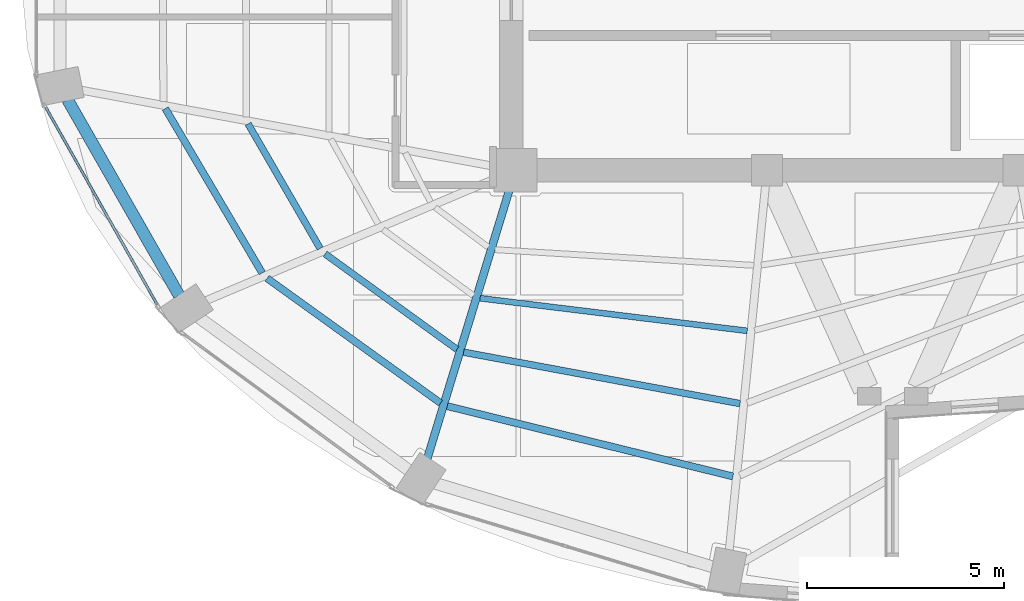
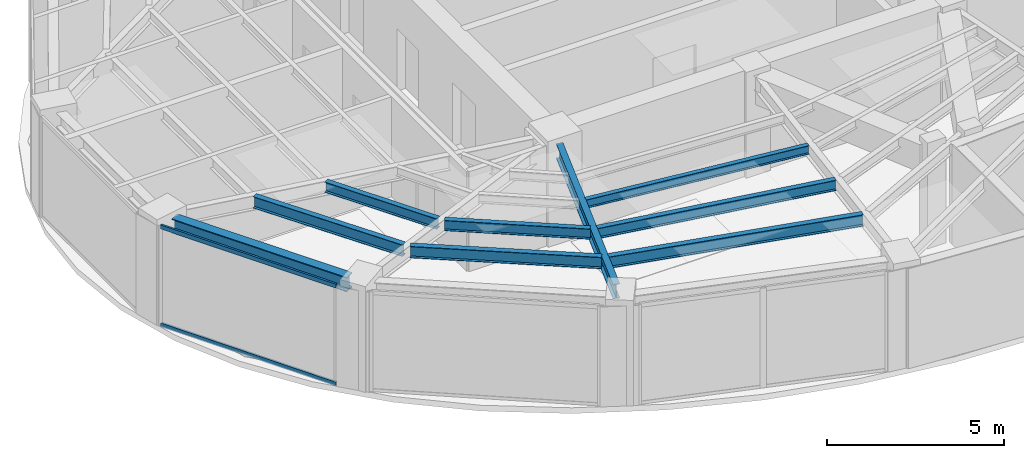
# One storey, part 3 of 23: 9 beams, 2 members, 1 element without a shape of its own.
"""IFC4 building model written with IfcOpenShell, lengths in metres."""

from ifc_helpers import new_model, si_unit, direction, frame, origin, origin_2d, place, context, subcontext, project, spatial, hollow_rectangle, i_section, extrude, material, layer, layer_set, material_profile, profile_set, type_object, element, aggregate, save


model = new_model("IFC4")

# Units and contexts
model_context = context("Model", 3, precision=1e-05, world=origin(), true_north=direction((0.0, 1.0)))
body_context = subcontext(model_context, "Body", "Model", "MODEL_VIEW")
ifc_project = project(units=[si_unit("LENGTHUNIT", "METRE"), si_unit("AREAUNIT", "SQUARE_METRE"), si_unit("VOLUMEUNIT", "CUBIC_METRE"), si_unit("PLANEANGLEUNIT", "RADIAN"), si_unit("MASSUNIT", "GRAM", prefix="KILO")], contexts=[model_context])

# Site, building, storey
site_placement = place(None, origin())
site = spatial("IfcSite", under=ifc_project, at=site_placement, CompositionType="ELEMENT")
building_placement = place(site_placement, origin())
building = spatial("IfcBuilding", under=site, at=building_placement, Name="Lazwardi Medical Tower", CompositionType="ELEMENT")
storey_placement = place(building_placement, frame((0.0, 0.0, 202.1279296875)))
storey = spatial("IfcBuildingStorey", under=building, at=storey_placement, Name="L52", CompositionType="ELEMENT", Elevation=202.1279296875)

# Beams
ifc_material_1 = material(Name="Steel S355", Category="steel")
ifc_material_profile_1 = material_profile(ifc_material_1, i_section(OverallWidth=0.300048828125, OverallDepth=0.5, WebThickness=0.014404296875, FlangeThickness=0.028076171875, at=origin_2d()), Name="HEB 500")
ifc_profile_set_1 = profile_set([ifc_material_profile_1], Name="Steel S355")
beam_type_1 = type_object("IfcBeamType", Name="BM-RB-Z4", PredefinedType="BEAM", material=ifc_profile_set_1)
beam_1_placement = place(storey_placement, frame((15.008056640625, 22.1982421875, 3.197998046875), z_axis=(0.495125273299, -0.868821594886, 0.0), x_axis=(0.868821594886, 0.495125273299, 0.0)))
element("IfcBeam", 1, at=beam_1_placement, inside=storey, type_object=beam_type_1, Name="Ring beam RB-05 B13 L52", PredefinedType="BEAM", context=body_context, shape_type="SweptSolid", body=[
    extrude(i_section(OverallWidth=0.300048828125, OverallDepth=0.5, WebThickness=0.014404296875, FlangeThickness=0.028076171875, at=origin_2d()), origin(), (0.0, 0.0, 1.0), 5.734130859375),
])
ifc_material_profile_2 = material_profile(ifc_material_1, i_section(OverallWidth=0.199951171875, OverallDepth=0.5, WebThickness=0.01025390625, FlangeThickness=0.01611328125, at=origin_2d()), Name="IPE 500")
ifc_profile_set_2 = profile_set([ifc_material_profile_2], Name="Steel S355")
beam_type_2 = type_object("IfcBeamType", Name="BM-RG-W3", PredefinedType="BEAM", material=ifc_profile_set_2)
beam_2_placement = place(storey_placement, frame((24.156005859375, 13.0576171875, 3.197998046875), z_axis=(0.292276716539, 0.956333791607, 0.0), x_axis=(-0.956333791607, 0.292276716539, 0.0)))
element("IfcBeam", 2, at=beam_2_placement, inside=storey, type_object=beam_type_2, Name="Radial girder RG-04 R15 L52", PredefinedType="BEAM", context=body_context, shape_type="SweptSolid", body=[
    extrude(i_section(OverallWidth=0.199951171875, OverallDepth=0.5, WebThickness=0.01025390625, FlangeThickness=0.01611328125, at=origin_2d()), origin(), (0.0, 0.0, 1.0), 7.142822265625),
])
ifc_material_profile_3 = material_profile(ifc_material_1, i_section(OverallWidth=0.179931640625, OverallDepth=0.39990234375, WebThickness=0.008544921875, FlangeThickness=0.013427734375, at=origin_2d()), Name="IPE 400")
ifc_profile_set_3 = profile_set([ifc_material_profile_3], Name="Steel S355")
beam_type_3 = type_object("IfcBeamType", Name="BM-SJ-01", PredefinedType="JOIST", material=ifc_profile_set_3)
beam_3_placement = place(storey_placement, frame((17.495849609375, 21.969482421875, 3.248046875), z_axis=(0.507710311367, -0.861527851977, 0.0), x_axis=(0.861527851977, 0.507710311367, 0.0)))
element("IfcBeam", 3, at=beam_3_placement, inside=storey, type_object=beam_type_3, Name="Secondary joist SJ-01 R1 B13 L52", PredefinedType="JOIST", context=body_context, shape_type="SweptSolid", body=[
    extrude(i_section(OverallWidth=0.179931640625, OverallDepth=0.39990234375, WebThickness=0.008544921875, FlangeThickness=0.013427734375, at=origin_2d()), origin(), (0.0, 0.0, 1.0), 4.852783203125),
])
beam_4_placement = place(storey_placement, frame((20.085205078125, 17.651123046875, 3.248046875), z_axis=(0.811889581337, -0.58381102055, 0.0), x_axis=(0.58381102055, 0.811889581337, 0.0)))
element("IfcBeam", 4, at=beam_4_placement, inside=storey, type_object=beam_type_3, Name="Secondary joist SJ-01 R1 B14 L52", PredefinedType="JOIST", context=body_context, shape_type="SweptSolid", body=[
    extrude(i_section(OverallWidth=0.179931640625, OverallDepth=0.39990234375, WebThickness=0.008544921875, FlangeThickness=0.013427734375, at=origin_2d()), origin(), (0.0, 0.0, 1.0), 5.433349609375),
])
beam_5_placement = place(storey_placement, frame((24.665771484375, 14.40087890625, 3.248046875), z_axis=(0.971041669317, -0.238910184904, 0.0), x_axis=(0.238910184904, 0.971041669317, 0.0)))
element("IfcBeam", 5, at=beam_5_placement, inside=storey, type_object=beam_type_3, Name="Secondary joist SJ-01 R1 B15 L52", PredefinedType="JOIST", context=body_context, shape_type="SweptSolid", body=[
    extrude(i_section(OverallWidth=0.179931640625, OverallDepth=0.39990234375, WebThickness=0.008544921875, FlangeThickness=0.013427734375, at=origin_2d()), origin(), (0.0, 0.0, 1.0), 7.482421875),
])
ifc_material_profile_4 = material_profile(ifc_material_1, i_section(OverallWidth=0.169921875, OverallDepth=0.360107421875, WebThickness=0.008056640625, FlangeThickness=0.0126953125, at=origin_2d()), Name="IPE 360")
ifc_profile_set_4 = profile_set([ifc_material_profile_4], Name="Steel S355")
beam_type_4 = type_object("IfcBeamType", Name="BM-SJ-02", PredefinedType="JOIST", material=ifc_profile_set_4)
beam_6_placement = place(storey_placement, frame((19.601806640625, 21.58056640625, 3.26806640625), z_axis=(0.500655179543, -0.865646805109, 0.0), x_axis=(0.865646805109, 0.500655179543, 0.0)))
element("IfcBeam", 6, at=beam_6_placement, inside=storey, type_object=beam_type_4, Name="Secondary joist SJ-02 R2 B13 L52", PredefinedType="JOIST", context=body_context, shape_type="SweptSolid", body=[
    extrude(i_section(OverallWidth=0.169921875, OverallDepth=0.360107421875, WebThickness=0.008056640625, FlangeThickness=0.0126953125, at=origin_2d()), origin(), (0.0, 0.0, 1.0), 3.662109375),
])
beam_7_placement = place(storey_placement, frame((21.559814453125, 18.2724609375, 3.26806640625), z_axis=(0.810164229155, -0.586202969796, 0.0), x_axis=(0.586202969796, 0.810164229155, 0.0)))
element("IfcBeam", 7, at=beam_7_placement, inside=storey, type_object=beam_type_4, Name="Secondary joist SJ-02 R2 B14 L52", PredefinedType="JOIST", context=body_context, shape_type="SweptSolid", body=[
    extrude(i_section(OverallWidth=0.169921875, OverallDepth=0.360107421875, WebThickness=0.008056640625, FlangeThickness=0.0126953125, at=origin_2d()), origin(), (0.0, 0.0, 1.0), 4.14013671875),
])
beam_8_placement = place(storey_placement, frame((25.08447265625, 15.7724609375, 3.26806640625), z_axis=(0.983132476587, -0.182894870019, 0.0), x_axis=(0.182894870019, 0.983132476587, 0.0)))
element("IfcBeam", 8, at=beam_8_placement, inside=storey, type_object=beam_type_4, Name="Secondary joist SJ-02 R2 B15 L52", PredefinedType="JOIST", context=body_context, shape_type="SweptSolid", body=[
    extrude(i_section(OverallWidth=0.169921875, OverallDepth=0.360107421875, WebThickness=0.008056640625, FlangeThickness=0.0126953125, at=origin_2d()), origin(), (0.0, 0.0, 1.0), 7.15087890625),
])
ifc_material_profile_5 = material_profile(ifc_material_1, i_section(OverallWidth=0.14990234375, OverallDepth=0.300048828125, WebThickness=0.007080078125, FlangeThickness=0.0107421875, at=origin_2d()), Name="IPE 300")
ifc_profile_set_5 = profile_set([ifc_material_profile_5], Name="Steel S355")
beam_type_5 = type_object("IfcBeamType", Name="BM-SJ-03", PredefinedType="JOIST", material=ifc_profile_set_5)
beam_9_placement = place(storey_placement, frame((25.5029296875, 17.14453125, 3.298095703125), z_axis=(0.992634689535, -0.121146081783, 0.0), x_axis=(0.121146081783, 0.992634689535, 0.0)))
element("IfcBeam", 9, at=beam_9_placement, inside=storey, type_object=beam_type_5, Name="Secondary joist SJ-03 R3 B15 L52", PredefinedType="JOIST", context=body_context, shape_type="SweptSolid", body=[
    extrude(i_section(OverallWidth=0.14990234375, OverallDepth=0.300048828125, WebThickness=0.007080078125, FlangeThickness=0.0107421875, at=origin_2d()), origin(), (0.0, 0.0, 1.0), 6.845947265625),
])

# Curtain wall, members
ifc_material_2 = material(Name="Anodised bronze aluminium and solar control glazing", Category="aluminium")
ifc_layer = layer(ifc_material_2, 0.18994140625)
ifc_layer_set = layer_set([ifc_layer], Name="Anodised bronze aluminium and solar control glazing")
curtain_wall_type = type_object("IfcCurtainWallType", Name="CW-SYS-04", PredefinedType="NOTDEFINED", material=ifc_layer_set)
curtain_wall_placement = place(storey_placement, origin())
curtain_wall = element("IfcCurtainWall", 10, at=curtain_wall_placement, inside=storey, type_object=curtain_wall_type, Name="L52 Unitised bronze curtain wall CW-04", PredefinedType="NOTDEFINED")
ifc_material_3 = material(Name="Anodised bronze aluminium", Category="aluminium")
ifc_material_profile_6 = material_profile(ifc_material_3, hollow_rectangle(XDim=0.06494140625, YDim=0.139892578125, WallThickness=0.00341796875, at=origin_2d()), Name="ALU-TRANSOM 140x65x3.5")
ifc_profile_set_6 = profile_set([ifc_material_profile_6], Name="Anodised bronze aluminium")
member_type = type_object("IfcMemberType", Name="CW-TRN-03", PredefinedType="USERDEFINED", material=ifc_profile_set_6)
member_1_placement = place(storey_placement, frame((14.458740234375, 21.993408203125, 0.032470703125), z_axis=(0.491897887635, -0.870652897623, 0.0), x_axis=(0.870652897623, 0.491897887635, 0.0)))
member_1 = element("IfcMember", 11, at=member_1_placement, type_object=member_type, Name="CW-04 transom 1.1", ObjectType="TRANSOM", PredefinedType="USERDEFINED", context=body_context, shape_type="SweptSolid", body=[
    extrude(hollow_rectangle(XDim=0.06494140625, YDim=0.139892578125, WallThickness=0.00341796875, at=origin_2d()), origin(), (0.0, 0.0, 1.0), 5.7548828125),
])
member_2_placement = place(storey_placement, frame((14.458740234375, 21.993408203125, 3.41552734375), z_axis=(0.491897887635, -0.870652897623, 0.0), x_axis=(0.870652897623, 0.491897887635, 0.0)))
member_2 = element("IfcMember", 12, at=member_2_placement, type_object=member_type, Name="CW-04 transom 1.2", ObjectType="TRANSOM", PredefinedType="USERDEFINED", context=body_context, shape_type="SweptSolid", body=[
    extrude(hollow_rectangle(XDim=0.06494140625, YDim=0.139892578125, WallThickness=0.00341796875, at=origin_2d()), origin(), (0.0, 0.0, 1.0), 5.7548828125),
])
aggregate(curtain_wall, [member_1, member_2])

save(model, "model.ifc")
